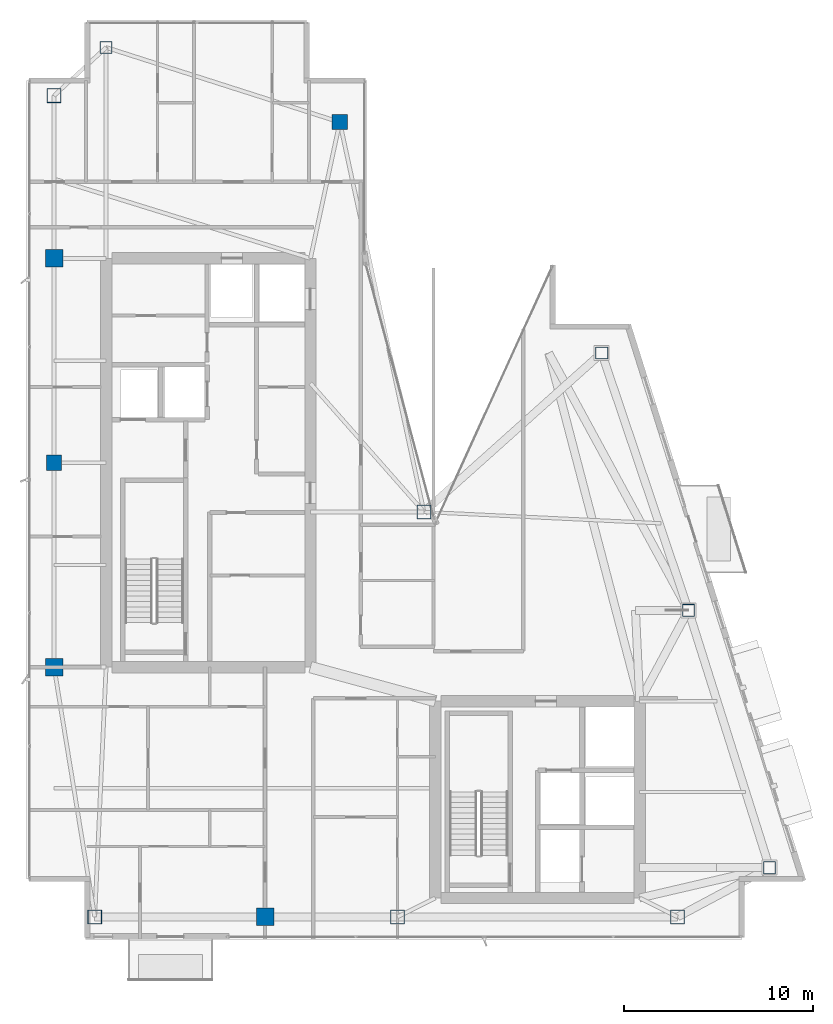
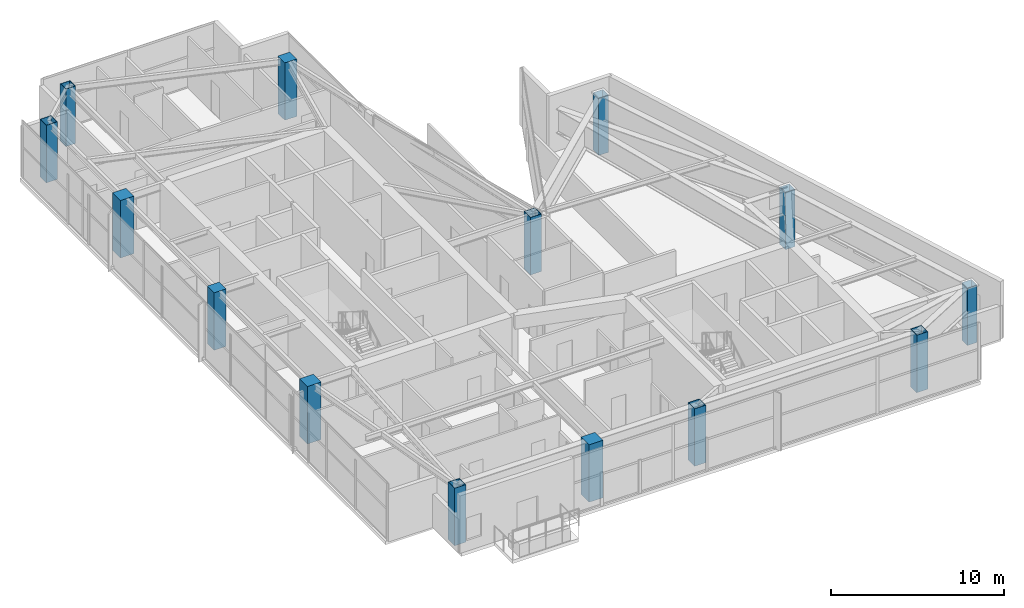
# One storey, part 1 of 26: 14 columns.
"""IFC4 building model written with IfcOpenShell, lengths in metres."""

from ifc_helpers import new_model, si_unit, direction, frame, origin, origin_2d, place, context, subcontext, project, spatial, rectangle, hollow_rectangle, extrude, material, material_profile, profile_set, type_object, element, save


model = new_model("IFC4")

# Units and contexts
model_context = context("Model", 3, precision=1e-05, world=origin(), true_north=direction((0.0, 1.0)))
body_context = subcontext(model_context, "Body", "Model", "MODEL_VIEW")
ifc_project = project(units=[si_unit("LENGTHUNIT", "METRE"), si_unit("AREAUNIT", "SQUARE_METRE"), si_unit("VOLUMEUNIT", "CUBIC_METRE"), si_unit("PLANEANGLEUNIT", "RADIAN"), si_unit("MASSUNIT", "GRAM", prefix="KILO")], contexts=[model_context])

# Site, building, storey
site_placement = place(None, origin())
site = spatial("IfcSite", under=ifc_project, at=site_placement, CompositionType="ELEMENT")
building_placement = place(site_placement, origin())
building = spatial("IfcBuilding", under=site, at=building_placement, Name="Calvorn Quay Hotel", CompositionType="ELEMENT")
storey_placement = place(building_placement, frame((0.0, 0.0, 302.5)))
storey = spatial("IfcBuildingStorey", under=building, at=storey_placement, Name="L75", CompositionType="ELEMENT", Elevation=302.5)

# Columns
ifc_material_1 = material(Name="Concrete C45", Category="concrete")
ifc_material_profile_1 = material_profile(ifc_material_1, rectangle(XDim=0.800048828125, YDim=0.800048828125, at=origin_2d()), Name="RC800x800")
ifc_profile_set_1 = profile_set([ifc_material_profile_1], Name="Concrete C45")
column_type_1 = type_object("IfcColumnType", Name="COL-RC-800", PredefinedType="COLUMN", material=ifc_profile_set_1)
for number, where, z_axis, x_axis, name in (
    (1, (1.449951171875, 27.60009765625, 0.0), (0.0, 0.0, 1.0), (1.0, 0.0, 0.0), "Column C-W3 (L75)"),
    (2, (16.550048828125, 45.60009765625, 0.0), (0.0, 0.0, 1.0), (1.0, 0.0, 0.0), "Column C-IC1 (L75)"),
):
    element("IfcColumn", number, at=place(storey_placement, frame(where, z_axis=z_axis, x_axis=x_axis)), inside=storey, type_object=column_type_1, Name=name, PredefinedType="COLUMN", context=body_context, shape_type="SweptSolid", body=[
        extrude(rectangle(XDim=0.800048828125, YDim=0.800048828125, at=origin_2d()), origin(), (0.0, 0.0, 1.0), 4.050048828125),
    ])
ifc_material_2 = material(Name="Concrete C45", Category="concrete")
ifc_material_profile_2 = material_profile(ifc_material_2, rectangle(XDim=0.919921875, YDim=0.919921875, at=origin_2d()), Name="RC920x920")
ifc_profile_set_2 = profile_set([ifc_material_profile_2], Name="Concrete C45")
column_type_2 = type_object("IfcColumnType", Name="COL-RC-920", PredefinedType="COLUMN", material=ifc_profile_set_2)
for number, where, z_axis, x_axis, name in (
    (3, (1.449951171875, 16.800048828125, 0.0), (0.0, 0.0, 1.0), (1.0, 0.0, 0.0), "Column C-W2 (L75)"),
    (4, (1.449951171875, 38.39990234375, 0.0), (0.0, 0.0, 1.0), (1.0, 0.0, 0.0), "Column C-W4 (L75)"),
    (5, (12.60009765625, 3.60009765625, 0.0), (0.0, 0.0, 1.0), (1.0, 0.0, 0.0), "Column C-S1 (L75)"),
):
    element("IfcColumn", number, at=place(storey_placement, frame(where, z_axis=z_axis, x_axis=x_axis)), inside=storey, type_object=column_type_2, Name=name, PredefinedType="COLUMN", context=body_context, shape_type="SweptSolid", body=[
        extrude(rectangle(XDim=0.919921875, YDim=0.919921875, at=origin_2d()), origin(), (0.0, 0.0, 1.0), 4.050048828125),
    ])
ifc_material_3 = material(Name="Steel Q390GJC", Category="steel")
ifc_material_profile_3 = material_profile(ifc_material_3, hollow_rectangle(XDim=0.75, YDim=0.75, WallThickness=0.031982421875, at=origin_2d()), Name="BOX750x750x32")
ifc_profile_set_3 = profile_set([ifc_material_profile_3], Name="Steel Q390GJC")
column_type_3 = type_object("IfcColumnType", Name="COL-STL-Z3", PredefinedType="COLUMN", material=ifc_profile_set_3)
for number, where, z_axis, x_axis, name in (
    (6, (3.60009765625, 3.60009765625, 0.0), (0.0, 0.0, 1.0), (1.0, 0.0, 0.0), "Column C-W1 (L75)"),
    (7, (1.449951171875, 47.0, 0.0), (0.0, 0.0, 1.0), (1.0, 0.0, 0.0), "Column C-W5 (L75)"),
    (8, (21.0, 25.0, 0.0), (0.0, 0.0, 1.0), (1.0, 0.0, 0.0), "Column C-IC2 (L75)"),
    (9, (19.60009765625, 3.60009765625, 0.0), (0.0, 0.0, 1.0), (1.0, 0.0, 0.0), "Column C-S2 (L75)"),
    (10, (34.39990234375, 3.60009765625, 0.0), (0.0, 0.0, 1.0), (1.0, 0.0, 0.0), "Column C-S3 (L75)"),
):
    element("IfcColumn", number, at=place(storey_placement, frame(where, z_axis=z_axis, x_axis=x_axis)), inside=storey, type_object=column_type_3, Name=name, PredefinedType="COLUMN", context=body_context, shape_type="SweptSolid", body=[
        extrude(hollow_rectangle(XDim=0.75, YDim=0.75, WallThickness=0.031982421875, at=origin_2d()), origin(), (0.0, 0.0, 1.0), 4.050048828125),
    ])
ifc_material_4 = material(Name="Steel Q355B", Category="steel")
ifc_material_profile_4 = material_profile(ifc_material_4, hollow_rectangle(XDim=0.64990234375, YDim=0.64990234375, WallThickness=0.028076171875, at=origin_2d()), Name="BOX650x650x28")
ifc_profile_set_4 = profile_set([ifc_material_profile_4], Name="Steel Q355B")
column_type_4 = type_object("IfcColumnType", Name="COL-STL-Z4", PredefinedType="COLUMN", material=ifc_profile_set_4)
for number, where, z_axis, x_axis, name in (
    (11, (4.199951171875, 49.550048828125, 0.0), (0.0, 0.0, 1.0), (1.0, 0.0, 0.0), "Column C-NW1 (L75)"),
    (12, (39.260986328125, 6.199951171875, 0.0), (0.0, 0.0, 1.0), (1.0, 0.0, 0.0), "Column C-ET1 (L75)"),
    (13, (34.97607421875, 19.800048828125, 0.0), (0.0, 0.0, 1.0), (1.0, 0.0, 0.0), "Column C-ET2 (L75)"),
    (14, (30.39111328125, 33.39990234375, 0.0), (0.0, 0.0, 1.0), (1.0, 0.0, 0.0), "Column C-ET3 (L75)"),
):
    element("IfcColumn", number, at=place(storey_placement, frame(where, z_axis=z_axis, x_axis=x_axis)), inside=storey, type_object=column_type_4, Name=name, PredefinedType="COLUMN", context=body_context, shape_type="SweptSolid", body=[
        extrude(hollow_rectangle(XDim=0.64990234375, YDim=0.64990234375, WallThickness=0.028076171875, at=origin_2d()), origin(), (0.0, 0.0, 1.0), 4.050048828125),
    ])

save(model, "model.ifc")
